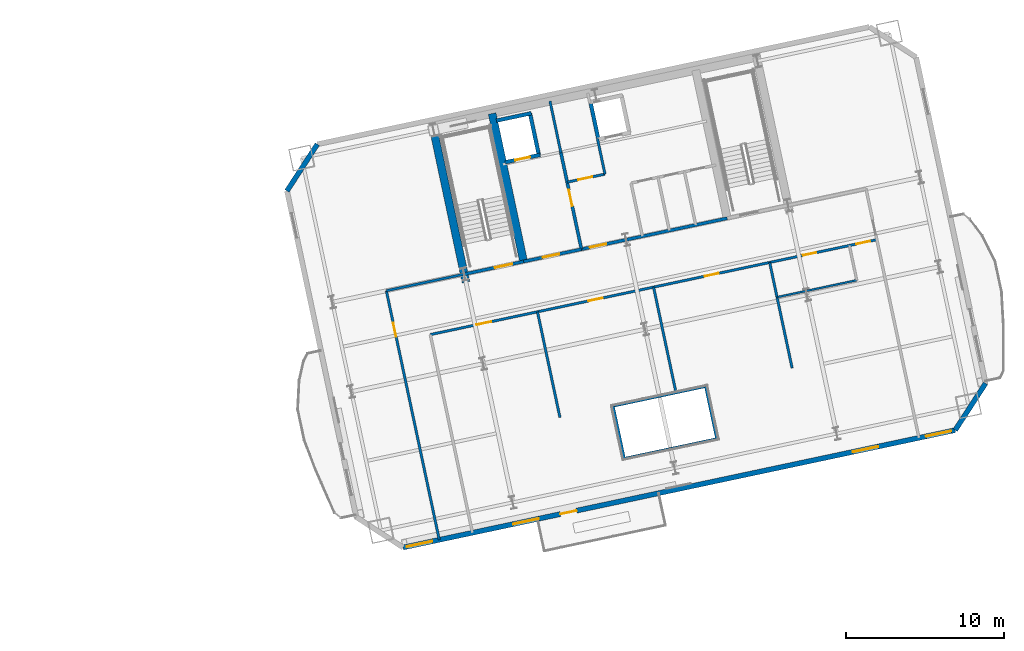
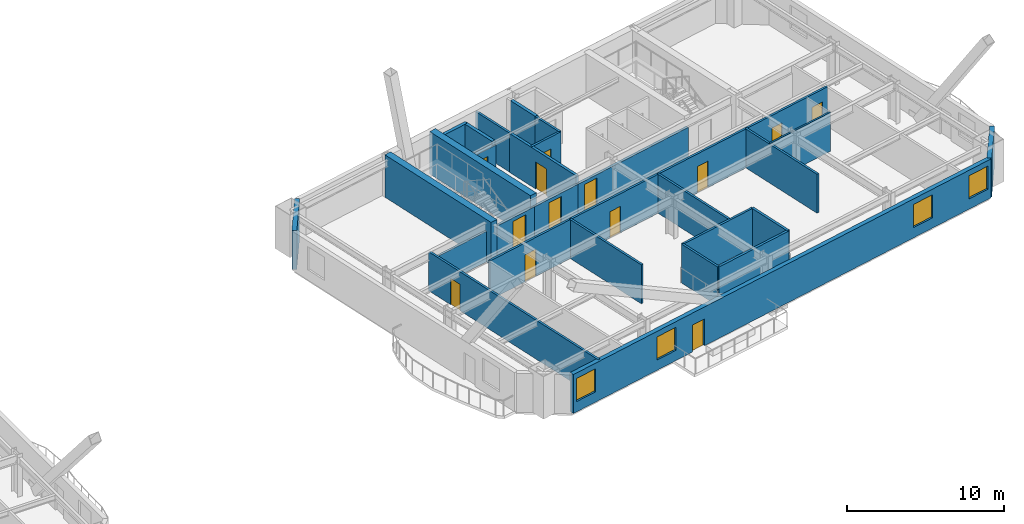
# One storey, part 8 of 15: 27 walls, 13 doors, 4 windows, 17 openings.
"""IFC4 building model written with IfcOpenShell, lengths in metres."""

from ifc_helpers import new_model, si_unit, direction, frame, frame_2d, origin, place, context, subcontext, project, spatial, rectangle, extrude, material, layer, layer_set, type_object, element, fill, save


model = new_model("IFC4")

# Units and contexts
model_context = context("Model", 3, precision=1e-05, world=origin(), true_north=direction((0.0, 1.0)))
body_context = subcontext(model_context, "Body", "Model", "MODEL_VIEW")
ifc_project = project(units=[si_unit("LENGTHUNIT", "METRE"), si_unit("AREAUNIT", "SQUARE_METRE"), si_unit("VOLUMEUNIT", "CUBIC_METRE"), si_unit("PLANEANGLEUNIT", "RADIAN"), si_unit("MASSUNIT", "GRAM", prefix="KILO")], contexts=[model_context])

# Site, building, storey
site_placement = place(None, origin())
site = spatial("IfcSite", under=ifc_project, at=site_placement, CompositionType="ELEMENT")
building_placement = place(site_placement, origin())
building = spatial("IfcBuilding", under=site, at=building_placement, Name="Haevon Station Towers", CompositionType="ELEMENT")
storey_placement = place(building_placement, frame((0.0, 0.0, 103.199951171875)))
storey = spatial("IfcBuildingStorey", under=building, at=storey_placement, Name="L27", CompositionType="ELEMENT", Elevation=103.199951171875)

# Walls
ifc_material_1 = material(Name="Gypsum board on steel stud", Category="steel")
ifc_layer_1 = layer(ifc_material_1, 0.179931640625)
ifc_layer_set_1 = layer_set([ifc_layer_1], Name="Gypsum board on steel stud")
wall_type_1 = type_object("IfcWallType", Name="WL-ACU180", PredefinedType="PARTITIONING", material=ifc_layer_set_1)
wall_1_placement = place(storey_placement, frame((108.90576171875, 25.747802734375, 0.0), z_axis=(0.0, 0.0, 1.0), x_axis=(0.978144681088, 0.207925426197, 0.0)))
element("IfcWall", 1, at=wall_1_placement, inside=storey, type_object=wall_type_1, Name="WL-T2PT-L27-06", PredefinedType="PARTITIONING", context=body_context, shape_type="SweptSolid", body=[
    extrude(rectangle(XDim=6.0, YDim=0.179931640625, at=frame_2d((3.0, 0.0))), origin(), (0.0, 0.0, 1.0), 3.030029296875),
])
wall_2_placement = place(storey_placement, frame((114.774658203125, 26.995361328125, 0.0), z_axis=(0.0, 0.0, 1.0), x_axis=(-0.207949787024, 0.97813950236, 0.0)))
element("IfcWall", 2, at=wall_2_placement, inside=storey, type_object=wall_type_1, Name="WL-T2PT-L27-09", PredefinedType="PARTITIONING", context=body_context, shape_type="SweptSolid", body=[
    extrude(rectangle(XDim=3.39990234375, YDim=0.179931640625, at=frame_2d((1.699951171875, 0.0))), origin(), (0.0, 0.0, 1.0), 3.030029296875),
])

# Wall, opening, door
ifc_layer_2 = layer(ifc_material_1, 0.199951171875)
ifc_layer_set_2 = layer_set([ifc_layer_2], Name="Gypsum board on steel stud")
wall_type_2 = type_object("IfcWallType", Name="WL-COR200", PredefinedType="PARTITIONING", material=ifc_layer_set_2)
wall_3_placement = place(storey_placement, frame((98.75244140625, 37.4423828125, 0.0), z_axis=(0.0, 0.0, 1.0), x_axis=(0.978143537786, 0.207930804564, 0.0)))
wall_3 = element("IfcWall", 3, at=wall_3_placement, inside=storey, type_object=wall_type_2, Name="WL-ST-ST3-L27", PredefinedType="PARTITIONING", context=body_context, shape_type="SweptSolid", body=[
    extrude(rectangle(XDim=3.85009765625, YDim=0.199951171875, at=frame_2d((1.925048828125, 0.0))), origin(), (0.0, 0.0, 1.0), 2.380126953125),
])
opening_1_placement = place(wall_3_placement, frame((2.0, 0.0, 0.0)))
opening_1 = element("IfcOpeningElement", 4, at=opening_1_placement, cuts=wall_3, Name="Opening DR-ST-ST3-L27", PredefinedType="OPENING", context=body_context, shape_type="SweptSolid", body=[
    extrude(rectangle(XDim=1.1201171875, YDim=2.10009765625, at=frame_2d((0.56005859375, 1.050048828125))), frame((0.0, 0.10986328125, 0.0), z_axis=(0.0, -1.0, 0.0), x_axis=(1.0, 0.0, 0.0)), (0.0, 0.0, 1.0), 0.219970703125),
])
ifc_material_2 = material(Name="Engineered oak timber", Category="wood")
door_type_1 = type_object("IfcDoorType", Name="DR-ST-1120", OperationType="NOTDEFINED", PredefinedType="DOOR", material=ifc_material_2)
door_1_placement = place(opening_1_placement, origin())
door_1 = element("IfcDoor", 5, at=door_1_placement, inside=storey, type_object=door_type_1, Name="L27 Escape Stair ST3 Fire Door", OperationType="SINGLE_SWING_RIGHT", OverallHeight=2.10009765625, OverallWidth=1.1201171875, PredefinedType="DOOR", context=body_context, shape_type="SweptSolid", body=[
    extrude(rectangle(XDim=1.1201171875, YDim=2.10009765625, at=frame_2d((0.56005859375, 1.050048828125))), frame((0.0, 0.02490234375, 0.0), z_axis=(0.0, -1.0, 0.0), x_axis=(1.0, 0.0, 0.0)), (0.0, 0.0, 1.0), 0.050048828125),
])
fill(opening_1, door_1)

wall_4_placement = place(storey_placement, frame((106.186279296875, 39.0224609375, 0.0), z_axis=(0.0, 0.0, 1.0), x_axis=(-0.207916691923, 0.978146537703, 0.0)))
wall_4 = element("IfcWall", 6, at=wall_4_placement, inside=storey, type_object=wall_type_2, Name="WL-T2FFL-L27-E", PredefinedType="PARTITIONING", context=body_context, shape_type="SweptSolid", body=[
    extrude(rectangle(XDim=6.35009765625, YDim=0.199951171875, at=frame_2d((3.175048828125, 0.0))), origin(), (0.0, 0.0, 1.0), 3.030029296875),
])
opening_2_placement = place(wall_4_placement, frame((2.800048828125, 0.0, 0.0)))
opening_2 = element("IfcOpeningElement", 7, at=opening_2_placement, cuts=wall_4, Name="Opening DR-T2FFL-L27-E", PredefinedType="OPENING", context=body_context, shape_type="SweptSolid", body=[
    extrude(rectangle(XDim=1.050048828125, YDim=2.10009765625, at=frame_2d((0.52490234375, 1.050048828125))), frame((0.0, 0.10986328125, 0.0), z_axis=(0.0, -1.0, 0.0), x_axis=(1.0, 0.0, 0.0)), (0.0, 0.0, 1.0), 0.219970703125),
])
door_type_2 = type_object("IfcDoorType", Name="DR-FD60-1050", OperationType="NOTDEFINED", PredefinedType="DOOR", material=ifc_material_2)
door_2_placement = place(opening_2_placement, origin())
door_2 = element("IfcDoor", 8, at=door_2_placement, inside=storey, type_object=door_type_2, Name="L27 Tower 2 Firefighting Lift Lobby Door E", OperationType="SINGLE_SWING_RIGHT", OverallHeight=2.10009765625, OverallWidth=1.050048828125, PredefinedType="DOOR", context=body_context, shape_type="SweptSolid", body=[
    extrude(rectangle(XDim=1.050048828125, YDim=2.10009765625, at=frame_2d((0.52490234375, 1.050048828125))), frame((0.0, 0.02490234375, 0.0), z_axis=(0.0, -1.0, 0.0), x_axis=(1.0, 0.0, 0.0)), (0.0, 0.0, 1.0), 0.050048828125),
])
fill(opening_2, door_2)

wall_5_placement = place(storey_placement, frame((102.518310546875, 38.242919921875, 0.0), z_axis=(0.0, 0.0, 1.0), x_axis=(0.978153555683, 0.20788367301, 0.0)))
wall_5 = element("IfcWall", 9, at=wall_5_placement, inside=storey, type_object=wall_type_2, Name="WL-T2FFL-L27-S", PredefinedType="PARTITIONING", context=body_context, shape_type="SweptSolid", body=[
    extrude(rectangle(XDim=3.75, YDim=0.199951171875, at=frame_2d((1.875, 0.0))), origin(), (0.0, 0.0, 1.0), 2.380126953125),
])
opening_3_placement = place(wall_5_placement, frame((1.25, 0.0, 0.0)))
opening_3 = element("IfcOpeningElement", 10, at=opening_3_placement, cuts=wall_5, Name="Opening DR-T2FFL-L27-S", PredefinedType="OPENING", context=body_context, shape_type="SweptSolid", body=[
    extrude(rectangle(XDim=1.050048828125, YDim=2.10009765625, at=frame_2d((0.52490234375, 1.050048828125))), frame((0.0, 0.10986328125, 0.0), z_axis=(0.0, -1.0, 0.0), x_axis=(1.0, 0.0, 0.0)), (0.0, 0.0, 1.0), 0.219970703125),
])
door_3_placement = place(opening_3_placement, origin())
door_3 = element("IfcDoor", 11, at=door_3_placement, inside=storey, type_object=door_type_2, Name="L27 Tower 2 Firefighting Lift Lobby Door S", OperationType="SINGLE_SWING_LEFT", OverallHeight=2.10009765625, OverallWidth=1.050048828125, PredefinedType="DOOR", context=body_context, shape_type="SweptSolid", body=[
    extrude(rectangle(XDim=1.050048828125, YDim=2.10009765625, at=frame_2d((0.52490234375, 1.050048828125))), frame((0.0, 0.02490234375, 0.0), z_axis=(0.0, -1.0, 0.0), x_axis=(1.0, 0.0, 0.0)), (0.0, 0.0, 1.0), 0.050048828125),
])
fill(opening_3, door_3)

wall_6_placement = place(storey_placement, frame((106.186279296875, 39.0224609375, 0.0), z_axis=(0.0, 0.0, 1.0), x_axis=(0.978145519981, 0.20792147975, 0.0)))
wall_6 = element("IfcWall", 12, at=wall_6_placement, inside=storey, type_object=wall_type_2, Name="WL-T2CLB-L27", PredefinedType="PARTITIONING", context=body_context, shape_type="SweptSolid", body=[
    extrude(rectangle(XDim=9.449951171875, YDim=0.199951171875, at=frame_2d((4.72509765625, 0.0))), origin(), (0.0, 0.0, 1.0), 2.380126953125),
])
opening_4_placement = place(wall_6_placement, frame((0.550048828125, 0.0, 0.0)))
opening_4 = element("IfcOpeningElement", 13, at=opening_4_placement, cuts=wall_6, Name="Opening DR-T2CLB-L27-1", PredefinedType="OPENING", context=body_context, shape_type="SweptSolid", body=[
    extrude(rectangle(XDim=1.050048828125, YDim=2.10009765625, at=frame_2d((0.52490234375, 1.050048828125))), frame((0.0, 0.10986328125, 0.0), z_axis=(0.0, -1.0, 0.0), x_axis=(1.0, 0.0, 0.0)), (0.0, 0.0, 1.0), 0.219970703125),
])
door_4_placement = place(opening_4_placement, origin())
door_4 = element("IfcDoor", 14, at=door_4_placement, inside=storey, type_object=door_type_2, Name="L27 Tower 2 Core Lift Lobby Door 1", OperationType="SINGLE_SWING_RIGHT", OverallHeight=2.10009765625, OverallWidth=1.050048828125, PredefinedType="DOOR", context=body_context, shape_type="SweptSolid", body=[
    extrude(rectangle(XDim=1.050048828125, YDim=2.10009765625, at=frame_2d((0.52490234375, 1.050048828125))), frame((0.0, 0.02490234375, 0.0), z_axis=(0.0, -1.0, 0.0), x_axis=(1.0, 0.0, 0.0)), (0.0, 0.0, 1.0), 0.050048828125),
])
fill(opening_4, door_4)

# Walls
ifc_material_3 = material(Name="Concrete C60/75", Category="concrete")
ifc_layer_3 = layer(ifc_material_3, 0.5)
ifc_layer_set_3 = layer_set([ifc_layer_3], Name="Concrete C60/75")
wall_type_3 = type_object("IfcWallType", Name="WL-CR500", PredefinedType="SHEAR", material=ifc_layer_set_3)
wall_7_placement = place(storey_placement, frame((98.8603515625, 36.933837890625, 0.0), z_axis=(0.0, 0.0, 1.0), x_axis=(-0.20790924889, 0.978148119778, 0.0)))
element("IfcWall", 15, at=wall_7_placement, inside=storey, type_object=wall_type_3, Name="WL-T2CR-L27-W", PredefinedType="SHEAR", context=body_context, shape_type="SweptSolid", body=[
    extrude(rectangle(XDim=10.119873046875, YDim=0.5, at=frame_2d((5.06005859375, 0.0))), origin(), (0.0, 0.0, 1.0), 3.300048828125),
])
wall_8_placement = place(storey_placement, frame((102.518310546875, 38.242919921875, 0.0), z_axis=(0.0, 0.0, 1.0), x_axis=(-0.207927495108, 0.978144241295, 0.0)))
element("IfcWall", 16, at=wall_8_placement, inside=storey, type_object=wall_type_3, Name="WL-T2CR-L27-M1", PredefinedType="SHEAR", context=body_context, shape_type="SweptSolid", body=[
    extrude(rectangle(XDim=9.599853515625, YDim=0.5, at=frame_2d((4.7998046875, 0.0))), origin(), (0.0, 0.0, 1.0), 3.300048828125),
])

# Wall, openings, door, windows
ifc_material_4 = material(Name="Precast concrete C45/55", Category="concrete")
ifc_layer_4 = layer(ifc_material_4, 0.320068359375)
ifc_layer_set_4 = layer_set([ifc_layer_4], Name="Precast concrete C45/55")
wall_type_4 = type_object("IfcWallType", Name="WL-EXT-PIER320", PredefinedType="SOLIDWALL", material=ifc_layer_set_4)
wall_9_placement = place(storey_placement, frame((129.889404296875, 27.550048828125, 0.0), z_axis=(0.0, 0.0, 1.0), x_axis=(-0.978146786281, -0.207915522479, 0.0)))
wall_9 = element("IfcWall", 17, at=wall_9_placement, inside=storey, type_object=wall_type_4, Name="WL-T2-L27-S", PredefinedType="SOLIDWALL", context=body_context, shape_type="SweptSolid", body=[
    extrude(rectangle(XDim=35.7998046875, YDim=0.320068359375, at=frame_2d((17.89990234375, 0.0))), origin(), (0.0, 0.0, 1.0), 3.030029296875),
])
opening_5_placement = place(wall_9_placement, frame((24.552001953125, 0.0, 0.0)))
opening_5 = element("IfcOpeningElement", 18, at=opening_5_placement, cuts=wall_9, Name="Opening DR-T2-PBAND-L27-1", PredefinedType="OPENING", context=body_context, shape_type="SweptSolid", body=[
    extrude(rectangle(XDim=1.050048828125, YDim=2.10009765625, at=frame_2d((0.52490234375, 1.050048828125))), frame((0.0, 0.169921875, 0.0), z_axis=(0.0, -1.0, 0.0), x_axis=(1.0, 0.0, 0.0)), (0.0, 0.0, 1.0), 0.340087890625),
])
opening_6_placement = place(wall_9_placement, frame((33.89990234375, 0.0, 0.800048828125)))
opening_6 = element("IfcOpeningElement", 19, at=opening_6_placement, cuts=wall_9, Name="Opening WN-P165", PredefinedType="OPENING", context=body_context, shape_type="SweptSolid", body=[
    extrude(rectangle(XDim=1.64990234375, YDim=1.800048828125, at=frame_2d((0.824951171875, 0.89990234375))), frame((0.0, 0.169921875, 0.0), z_axis=(0.0, -1.0, 0.0), x_axis=(1.0, 0.0, 0.0)), (0.0, 0.0, 1.0), 0.340087890625),
])
opening_7_placement = place(wall_9_placement, frame((0.25, 0.0, 0.800048828125)))
opening_7 = element("IfcOpeningElement", 20, at=opening_7_placement, cuts=wall_9, Name="Opening WN-P165", PredefinedType="OPENING", context=body_context, shape_type="SweptSolid", body=[
    extrude(rectangle(XDim=1.64990234375, YDim=1.800048828125, at=frame_2d((0.824951171875, 0.89990234375))), frame((0.0, 0.169921875, 0.0), z_axis=(0.0, -1.0, 0.0), x_axis=(1.0, 0.0, 0.0)), (0.0, 0.0, 1.0), 0.340087890625),
])
opening_8_placement = place(wall_9_placement, frame((27.0009765625, 0.0, 0.800048828125)))
opening_8 = element("IfcOpeningElement", 21, at=opening_8_placement, cuts=wall_9, Name="Opening WN-P165", PredefinedType="OPENING", context=body_context, shape_type="SweptSolid", body=[
    extrude(rectangle(XDim=1.64990234375, YDim=1.800048828125, at=frame_2d((0.824951171875, 0.89990234375))), frame((0.0, 0.169921875, 0.0), z_axis=(0.0, -1.0, 0.0), x_axis=(1.0, 0.0, 0.0)), (0.0, 0.0, 1.0), 0.340087890625),
])
opening_9_placement = place(wall_9_placement, frame((4.9990234375, 0.0, 0.800048828125)))
opening_9 = element("IfcOpeningElement", 22, at=opening_9_placement, cuts=wall_9, Name="Opening WN-P165", PredefinedType="OPENING", context=body_context, shape_type="SweptSolid", body=[
    extrude(rectangle(XDim=1.64990234375, YDim=1.800048828125, at=frame_2d((0.824951171875, 0.89990234375))), frame((0.0, 0.169921875, 0.0), z_axis=(0.0, -1.0, 0.0), x_axis=(1.0, 0.0, 0.0)), (0.0, 0.0, 1.0), 0.340087890625),
])
ifc_material_5 = material(Name="Thermally broken anodised aluminium and laminated safety glass", Category="aluminium")
door_type_3 = type_object("IfcDoorType", Name="DR-BALC-1050", OperationType="NOTDEFINED", PredefinedType="DOOR", material=ifc_material_5)
door_5_placement = place(opening_5_placement, origin())
door_5 = element("IfcDoor", 23, at=door_5_placement, inside=storey, type_object=door_type_3, Name="Tower 2 L27 Balcony Terrace Door", OperationType="SINGLE_SWING_LEFT", OverallHeight=2.10009765625, OverallWidth=1.050048828125, PredefinedType="DOOR", context=body_context, shape_type="SweptSolid", body=[
    extrude(rectangle(XDim=1.050048828125, YDim=2.10009765625, at=frame_2d((0.52490234375, 1.050048828125))), frame((0.0, 0.02490234375, 0.0), z_axis=(0.0, -1.0, 0.0), x_axis=(1.0, 0.0, 0.0)), (0.0, 0.0, 1.0), 0.050048828125),
])
fill(opening_5, door_5)
ifc_material_6 = material(Name="Low-E triple glazing in thermally broken aluminium", Category="aluminium")
window_type = type_object("IfcWindowType", Name="WN-P165", PartitioningType="SINGLE_PANEL", PredefinedType="WINDOW", material=ifc_material_6)
window_1_placement = place(opening_6_placement, origin())
window_1 = element("IfcWindow", 24, at=window_1_placement, inside=storey, type_object=window_type, Name="WN-T2-L27-S01", OverallHeight=1.800048828125, OverallWidth=1.64990234375, PartitioningType="SINGLE_PANEL", PredefinedType="WINDOW", context=body_context, shape_type="SweptSolid", body=[
    extrude(rectangle(XDim=1.64990234375, YDim=1.800048828125, at=frame_2d((0.824951171875, 0.89990234375))), frame((0.0, 0.030029296875, 0.0), z_axis=(0.0, -1.0, 0.0), x_axis=(1.0, 0.0, 0.0)), (0.0, 0.0, 1.0), 0.06005859375),
])
fill(opening_6, window_1)
window_2_placement = place(opening_7_placement, origin())
window_2 = element("IfcWindow", 25, at=window_2_placement, inside=storey, type_object=window_type, Name="WN-T2-L27-S02", OverallHeight=1.800048828125, OverallWidth=1.64990234375, PartitioningType="SINGLE_PANEL", PredefinedType="WINDOW", context=body_context, shape_type="SweptSolid", body=[
    extrude(rectangle(XDim=1.64990234375, YDim=1.800048828125, at=frame_2d((0.824951171875, 0.89990234375))), frame((0.0, 0.030029296875, 0.0), z_axis=(0.0, -1.0, 0.0), x_axis=(1.0, 0.0, 0.0)), (0.0, 0.0, 1.0), 0.06005859375),
])
fill(opening_7, window_2)
window_3_placement = place(opening_8_placement, origin())
window_3 = element("IfcWindow", 26, at=window_3_placement, inside=storey, type_object=window_type, Name="WN-T2-L27-S03", OverallHeight=1.800048828125, OverallWidth=1.64990234375, PartitioningType="SINGLE_PANEL", PredefinedType="WINDOW", context=body_context, shape_type="SweptSolid", body=[
    extrude(rectangle(XDim=1.64990234375, YDim=1.800048828125, at=frame_2d((0.824951171875, 0.89990234375))), frame((0.0, 0.030029296875, 0.0), z_axis=(0.0, -1.0, 0.0), x_axis=(1.0, 0.0, 0.0)), (0.0, 0.0, 1.0), 0.06005859375),
])
fill(opening_8, window_3)
window_4_placement = place(opening_9_placement, origin())
window_4 = element("IfcWindow", 27, at=window_4_placement, inside=storey, type_object=window_type, Name="WN-T2-L27-S04", OverallHeight=1.800048828125, OverallWidth=1.64990234375, PartitioningType="SINGLE_PANEL", PredefinedType="WINDOW", context=body_context, shape_type="SweptSolid", body=[
    extrude(rectangle(XDim=1.64990234375, YDim=1.800048828125, at=frame_2d((0.824951171875, 0.89990234375))), frame((0.0, 0.030029296875, 0.0), z_axis=(0.0, -1.0, 0.0), x_axis=(1.0, 0.0, 0.0)), (0.0, 0.0, 1.0), 0.06005859375),
])
fill(opening_9, window_4)

# Walls
for number, where, z_axis, x_axis, name in (
    (28, (87.50927734375, 42.72021484375, 0.0), (0.0, 0.0, 1.0), (0.544684921471, 0.838640767148, 0.0), "WL-T2-L27-NWC"),
    (29, (131.815185546875, 30.51513671875, 0.0), (0.0, 0.0, 1.0), (-0.544684921471, -0.838640767148, 0.0), "WL-T2-L27-SEC"),
):
    element("IfcWall", number, at=place(storey_placement, frame(where, z_axis=z_axis, x_axis=x_axis)), inside=storey, type_object=wall_type_4, Name=name, PredefinedType="SOLIDWALL", context=body_context, shape_type="SweptSolid", body=[
        extrude(rectangle(XDim=3.53564453125, YDim=0.320068359375, at=frame_2d((1.767822265625, 0.0))), origin(), (0.0, 0.0, 1.0), 3.030029296875),
    ])
ifc_layer_5 = layer(ifc_material_1, 0.125)
ifc_layer_set_5 = layer_set([ifc_layer_5], Name="Gypsum board on steel stud")
wall_type_5 = type_object("IfcWallType", Name="WL-PRT125", PredefinedType="PARTITIONING", material=ifc_layer_set_5)
wall_10_placement = place(storey_placement, frame((118.5908203125, 35.985107421875, 0.0), z_axis=(0.0, 0.0, 1.0), x_axis=(0.97813987762, 0.207948021891, 0.0)))
element("IfcWall", 30, at=wall_10_placement, inside=storey, type_object=wall_type_5, Name="WL-T2PT-L27-15", PredefinedType="PARTITIONING", context=body_context, shape_type="SweptSolid", body=[
    extrude(rectangle(XDim=5.168212890625, YDim=0.125, at=frame_2d((2.583984375, 0.0))), origin(), (0.0, 0.0, 1.0), 3.030029296875),
])
ifc_layer_6 = layer(ifc_material_1, 0.159912109375)
ifc_layer_set_6 = layer_set([ifc_layer_6], Name="Gypsum board on steel stud")
wall_type_6 = type_object("IfcWallType", Name="WL-PRT160", PredefinedType="PARTITIONING", material=ifc_layer_set_6)
wall_11_placement = place(storey_placement, frame((104.88671875, 45.135986328125, 0.0), z_axis=(0.0, 0.0, 1.0), x_axis=(-0.207846553267, 0.978161443881, 0.0)))
element("IfcWall", 31, at=wall_11_placement, inside=storey, type_object=wall_type_6, Name="WL-T2CW-L27-01", PredefinedType="PARTITIONING", context=body_context, shape_type="SweptSolid", body=[
    extrude(rectangle(XDim=3.35009765625, YDim=0.159912109375, at=frame_2d((1.675048828125, 0.0))), origin(), (0.0, 0.0, 1.0), 3.030029296875),
])

# Wall, opening, door
wall_12_placement = place(storey_placement, frame((105.28173828125, 43.277587890625, 0.0), z_axis=(0.0, 0.0, 1.0), x_axis=(0.978156824814, 0.207868290196, 0.0)))
wall_12 = element("IfcWall", 32, at=wall_12_placement, inside=storey, type_object=wall_type_6, Name="WL-T2CW-L27-02", PredefinedType="PARTITIONING", context=body_context, shape_type="SweptSolid", body=[
    extrude(rectangle(XDim=2.449951171875, YDim=0.159912109375, at=frame_2d((1.22509765625, 0.0))), origin(), (0.0, 0.0, 1.0), 3.030029296875),
])
opening_10_placement = place(wall_12_placement, frame((0.719970703125, 0.0, 0.0)))
opening_10 = element("IfcOpeningElement", 33, at=opening_10_placement, cuts=wall_12, Name="Opening DR-WL-T2CW-L27-02-1", PredefinedType="OPENING", context=body_context, shape_type="SweptSolid", body=[
    extrude(rectangle(XDim=0.89990234375, YDim=2.10009765625, at=frame_2d((0.449951171875, 1.050048828125))), frame((0.0, 0.08984375, 0.0), z_axis=(0.0, -1.0, 0.0), x_axis=(1.0, 0.0, 0.0)), (0.0, 0.0, 1.0), 0.179931640625),
])
door_type_4 = type_object("IfcDoorType", Name="DR-FD60-900", OperationType="NOTDEFINED", PredefinedType="DOOR", material=ifc_material_2)
door_6_placement = place(opening_10_placement, origin())
door_6 = element("IfcDoor", 34, at=door_6_placement, inside=storey, type_object=door_type_4, Name="L27 Tower 2 Core Room Door 2-1", OperationType="SINGLE_SWING_RIGHT", OverallHeight=2.10009765625, OverallWidth=0.89990234375, PredefinedType="DOOR", context=body_context, shape_type="SweptSolid", body=[
    extrude(rectangle(XDim=0.89990234375, YDim=2.10009765625, at=frame_2d((0.449951171875, 1.050048828125))), frame((0.0, 0.02490234375, 0.0), z_axis=(0.0, -1.0, 0.0), x_axis=(1.0, 0.0, 0.0)), (0.0, 0.0, 1.0), 0.050048828125),
])
fill(opening_10, door_6)

# Walls
wall_13_placement = place(storey_placement, frame((107.67822265625, 43.786865234375, 0.0), z_axis=(0.0, 0.0, 1.0), x_axis=(-0.207839712757, 0.978162897375, 0.0)))
element("IfcWall", 35, at=wall_13_placement, inside=storey, type_object=wall_type_6, Name="WL-T2CW-L27-03", PredefinedType="PARTITIONING", context=body_context, shape_type="SweptSolid", body=[
    extrude(rectangle(XDim=2.300048828125, YDim=0.159912109375, at=frame_2d((1.14990234375, 0.0))), origin(), (0.0, 0.0, 1.0), 3.030029296875),
])
wall_14_placement = place(storey_placement, frame((93.812744140625, 36.392578125, 0.0), z_axis=(0.0, 0.0, 1.0), x_axis=(0.978154058851, 0.207881305445, 0.0)))
element("IfcWall", 36, at=wall_14_placement, inside=storey, type_object=wall_type_6, Name="WL-T2PT-L27-02", PredefinedType="PARTITIONING", context=body_context, shape_type="SweptSolid", body=[
    extrude(rectangle(XDim=5.050048828125, YDim=0.159912109375, at=frame_2d((2.52490234375, 0.0))), origin(), (0.0, 0.0, 1.0), 2.380126953125),
])

# Wall, opening, door
wall_15_placement = place(storey_placement, frame((97.17041015625, 20.595458984375, 0.0), z_axis=(0.0, 0.0, 1.0), x_axis=(-0.20790485933, 0.978149052786, 0.0)))
wall_15 = element("IfcWall", 37, at=wall_15_placement, inside=storey, type_object=wall_type_6, Name="WL-T2PT-L27-04", PredefinedType="PARTITIONING", context=body_context, shape_type="SweptSolid", body=[
    extrude(rectangle(XDim=16.14990234375, YDim=0.159912109375, at=frame_2d((8.074951171875, 0.0))), origin(), (0.0, 0.0, 1.0), 3.030029296875),
])
opening_11_placement = place(wall_15_placement, frame((13.169921875, 0.0, 0.0)))
opening_11 = element("IfcOpeningElement", 38, at=opening_11_placement, cuts=wall_15, Name="Opening DR-WL-T2PT-L27-04-01", PredefinedType="OPENING", context=body_context, shape_type="SweptSolid", body=[
    extrude(rectangle(XDim=0.89990234375, YDim=2.050048828125, at=frame_2d((0.449951171875, 1.02490234375))), frame((0.0, 0.08984375, 0.0), z_axis=(0.0, -1.0, 0.0), x_axis=(1.0, 0.0, 0.0)), (0.0, 0.0, 1.0), 0.179931640625),
])
door_type_5 = type_object("IfcDoorType", Name="DR-INT-900", OperationType="NOTDEFINED", PredefinedType="DOOR", material=ifc_material_2)
door_7_placement = place(opening_11_placement, origin())
door_7 = element("IfcDoor", 39, at=door_7_placement, inside=storey, type_object=door_type_5, Name="L27 Tower 2 Room Door 4-1", OperationType="SINGLE_SWING_RIGHT", OverallHeight=2.050048828125, OverallWidth=0.89990234375, PredefinedType="DOOR", context=body_context, shape_type="SweptSolid", body=[
    extrude(rectangle(XDim=0.89990234375, YDim=2.050048828125, at=frame_2d((0.449951171875, 1.02490234375))), frame((0.0, 0.02490234375, 0.0), z_axis=(0.0, -1.0, 0.0), x_axis=(1.0, 0.0, 0.0)), (0.0, 0.0, 1.0), 0.050048828125),
])
fill(opening_11, door_7)

# Walls
wall_16_placement = place(storey_placement, frame((108.19873046875, 29.073486328125, 0.0), z_axis=(0.0, 0.0, 1.0), x_axis=(0.978144681088, 0.207925426197, 0.0)))
element("IfcWall", 40, at=wall_16_placement, inside=storey, type_object=wall_type_6, Name="WL-T2PT-L27-07", PredefinedType="PARTITIONING", context=body_context, shape_type="SweptSolid", body=[
    extrude(rectangle(XDim=6.0, YDim=0.159912109375, at=frame_2d((3.0, 0.0))), origin(), (0.0, 0.0, 1.0), 3.030029296875),
])
wall_17_placement = place(storey_placement, frame((108.90576171875, 25.747802734375, 0.0), z_axis=(0.0, 0.0, 1.0), x_axis=(-0.207949787024, 0.97813950236, 0.0)))
element("IfcWall", 41, at=wall_17_placement, inside=storey, type_object=wall_type_6, Name="WL-T2PT-L27-08", PredefinedType="PARTITIONING", context=body_context, shape_type="SweptSolid", body=[
    extrude(rectangle(XDim=3.39990234375, YDim=0.159912109375, at=frame_2d((1.699951171875, 0.0))), origin(), (0.0, 0.0, 1.0), 3.030029296875),
])
for number, where, z_axis, x_axis, name in (
    (42, (104.822265625, 28.35595703125, 0.0), (0.0, 0.0, 1.0), (-0.207932073521, 0.978143268035, 0.0), "WL-T2PT-L27-10"),
    (43, (112.184814453125, 29.9208984375, 0.0), (0.0, 0.0, 1.0), (-0.207932073521, 0.978143268035, 0.0), "WL-T2PT-L27-11"),
    (44, (119.547119140625, 31.48583984375, 0.0), (0.0, 0.0, 1.0), (-0.207897972701, 0.978150516509, 0.0), "WL-T2PT-L27-13"),
):
    element("IfcWall", number, at=place(storey_placement, frame(where, z_axis=z_axis, x_axis=x_axis)), inside=storey, type_object=wall_type_6, Name=name, PredefinedType="PARTITIONING", context=body_context, shape_type="SweptSolid", body=[
        extrude(rectangle(XDim=6.849853515625, YDim=0.159912109375, at=frame_2d((3.4248046875, 0.0))), origin(), (0.0, 0.0, 1.0), 3.030029296875),
    ])

# Wall, openings, doors
wall_18_placement = place(storey_placement, frame((96.601806640625, 33.611572265625, 0.0), z_axis=(0.0, 0.0, 1.0), x_axis=(0.978147618699, 0.207911606299, 0.0)))
wall_18 = element("IfcWall", 45, at=wall_18_placement, inside=storey, type_object=wall_type_6, Name="WL-T2PT-L27-17", PredefinedType="PARTITIONING", context=body_context, shape_type="SweptSolid", body=[
    extrude(rectangle(XDim=28.949951171875, YDim=0.159912109375, at=frame_2d((14.47509765625, 0.0))), origin(), (0.0, 0.0, 1.0), 3.030029296875),
])
opening_12_placement = place(wall_18_placement, frame((2.9990234375, 0.0, 0.0)))
opening_12 = element("IfcOpeningElement", 46, at=opening_12_placement, cuts=wall_18, Name="Opening DR-WL-T2PT-L27-17-01", PredefinedType="OPENING", context=body_context, shape_type="SweptSolid", body=[
    extrude(rectangle(XDim=0.949951171875, YDim=2.10009765625, at=frame_2d((0.47509765625, 1.050048828125))), frame((0.0, 0.08984375, 0.0), z_axis=(0.0, -1.0, 0.0), x_axis=(1.0, 0.0, 0.0)), (0.0, 0.0, 1.0), 0.179931640625),
])
opening_13_placement = place(wall_18_placement, frame((10.260986328125, 0.0, 0.0)))
opening_13 = element("IfcOpeningElement", 47, at=opening_13_placement, cuts=wall_18, Name="Opening DR-WL-T2PT-L27-17-02", PredefinedType="OPENING", context=body_context, shape_type="SweptSolid", body=[
    extrude(rectangle(XDim=0.89990234375, YDim=2.050048828125, at=frame_2d((0.449951171875, 1.02490234375))), frame((0.0, 0.08984375, 0.0), z_axis=(0.0, -1.0, 0.0), x_axis=(1.0, 0.0, 0.0)), (0.0, 0.0, 1.0), 0.179931640625),
])
opening_14_placement = place(wall_18_placement, frame((17.7880859375, 0.0, 0.0)))
opening_14 = element("IfcOpeningElement", 48, at=opening_14_placement, cuts=wall_18, Name="Opening DR-WL-T2PT-L27-17-03", PredefinedType="OPENING", context=body_context, shape_type="SweptSolid", body=[
    extrude(rectangle(XDim=0.89990234375, YDim=2.050048828125, at=frame_2d((0.449951171875, 1.02490234375))), frame((0.0, 0.08984375, 0.0), z_axis=(0.0, -1.0, 0.0), x_axis=(1.0, 0.0, 0.0)), (0.0, 0.0, 1.0), 0.179931640625),
])
opening_15_placement = place(wall_18_placement, frame((24.160888671875, 0.0, 0.0)))
opening_15 = element("IfcOpeningElement", 49, at=opening_15_placement, cuts=wall_18, Name="Opening DR-WL-T2PT-L27-17-04", PredefinedType="OPENING", context=body_context, shape_type="SweptSolid", body=[
    extrude(rectangle(XDim=0.85009765625, YDim=2.050048828125, at=frame_2d((0.425048828125, 1.02490234375))), frame((0.0, 0.08984375, 0.0), z_axis=(0.0, -1.0, 0.0), x_axis=(1.0, 0.0, 0.0)), (0.0, 0.0, 1.0), 0.179931640625),
])
opening_16_placement = place(wall_18_placement, frame((27.610107421875, 0.0, 0.0)))
opening_16 = element("IfcOpeningElement", 50, at=opening_16_placement, cuts=wall_18, Name="Opening DR-WL-T2PT-L27-17-05", PredefinedType="OPENING", context=body_context, shape_type="SweptSolid", body=[
    extrude(rectangle(XDim=0.89990234375, YDim=2.050048828125, at=frame_2d((0.449951171875, 1.02490234375))), frame((0.0, 0.08984375, 0.0), z_axis=(0.0, -1.0, 0.0), x_axis=(1.0, 0.0, 0.0)), (0.0, 0.0, 1.0), 0.179931640625),
])
door_type_6 = type_object("IfcDoorType", Name="DR-FD30-850", OperationType="NOTDEFINED", PredefinedType="DOOR", material=ifc_material_2)
door_8_placement = place(opening_15_placement, origin())
door_8 = element("IfcDoor", 51, at=door_8_placement, inside=storey, type_object=door_type_6, Name="L27 Tower 2 Room Door 17-4", OperationType="SINGLE_SWING_LEFT", OverallHeight=2.050048828125, OverallWidth=0.85009765625, PredefinedType="DOOR", context=body_context, shape_type="SweptSolid", body=[
    extrude(rectangle(XDim=0.85009765625, YDim=2.050048828125, at=frame_2d((0.425048828125, 1.02490234375))), frame((0.0, 0.02490234375, 0.0), z_axis=(0.0, -1.0, 0.0), x_axis=(1.0, 0.0, 0.0)), (0.0, 0.0, 1.0), 0.050048828125),
])
fill(opening_15, door_8)
door_type_7 = type_object("IfcDoorType", Name="DR-FD30-950", OperationType="NOTDEFINED", PredefinedType="DOOR", material=ifc_material_2)
door_9_placement = place(opening_12_placement, origin())
door_9 = element("IfcDoor", 52, at=door_9_placement, inside=storey, type_object=door_type_7, Name="L27 Tower 2 Room Door 17-1", OperationType="SINGLE_SWING_RIGHT", OverallHeight=2.10009765625, OverallWidth=0.949951171875, PredefinedType="DOOR", context=body_context, shape_type="SweptSolid", body=[
    extrude(rectangle(XDim=0.949951171875, YDim=2.10009765625, at=frame_2d((0.47509765625, 1.050048828125))), frame((0.0, 0.02490234375, 0.0), z_axis=(0.0, -1.0, 0.0), x_axis=(1.0, 0.0, 0.0)), (0.0, 0.0, 1.0), 0.050048828125),
])
fill(opening_12, door_9)
door_10_placement = place(opening_13_placement, origin())
door_10 = element("IfcDoor", 53, at=door_10_placement, inside=storey, type_object=door_type_5, Name="L27 Tower 2 Room Door 17-2", OperationType="SINGLE_SWING_LEFT", OverallHeight=2.050048828125, OverallWidth=0.89990234375, PredefinedType="DOOR", context=body_context, shape_type="SweptSolid", body=[
    extrude(rectangle(XDim=0.89990234375, YDim=2.050048828125, at=frame_2d((0.449951171875, 1.02490234375))), frame((0.0, 0.02490234375, 0.0), z_axis=(0.0, -1.0, 0.0), x_axis=(1.0, 0.0, 0.0)), (0.0, 0.0, 1.0), 0.050048828125),
])
fill(opening_13, door_10)
door_11_placement = place(opening_14_placement, origin())
door_11 = element("IfcDoor", 54, at=door_11_placement, inside=storey, type_object=door_type_5, Name="L27 Tower 2 Room Door 17-3", OperationType="SINGLE_SWING_RIGHT", OverallHeight=2.050048828125, OverallWidth=0.89990234375, PredefinedType="DOOR", context=body_context, shape_type="SweptSolid", body=[
    extrude(rectangle(XDim=0.89990234375, YDim=2.050048828125, at=frame_2d((0.449951171875, 1.02490234375))), frame((0.0, 0.02490234375, 0.0), z_axis=(0.0, -1.0, 0.0), x_axis=(1.0, 0.0, 0.0)), (0.0, 0.0, 1.0), 0.050048828125),
])
fill(opening_14, door_11)
door_12_placement = place(opening_16_placement, origin())
door_12 = element("IfcDoor", 55, at=door_12_placement, inside=storey, type_object=door_type_5, Name="L27 Tower 2 Room Door 17-5", OperationType="SINGLE_SWING_RIGHT", OverallHeight=2.050048828125, OverallWidth=0.89990234375, PredefinedType="DOOR", context=body_context, shape_type="SweptSolid", body=[
    extrude(rectangle(XDim=0.89990234375, YDim=2.050048828125, at=frame_2d((0.449951171875, 1.02490234375))), frame((0.0, 0.02490234375, 0.0), z_axis=(0.0, -1.0, 0.0), x_axis=(1.0, 0.0, 0.0)), (0.0, 0.0, 1.0), 0.050048828125),
])
fill(opening_16, door_12)

# Wall, opening, door
ifc_material_7 = material(Name="Concrete C40/50", Category="concrete")
ifc_layer_7 = layer(ifc_material_7, 0.239990234375)
ifc_layer_set_7 = layer_set([ifc_layer_7], Name="Concrete C40/50")
wall_type_7 = type_object("IfcWallType", Name="WL-SHF240", PredefinedType="PARTITIONING", material=ifc_layer_set_7)
wall_19_placement = place(storey_placement, frame((101.353759765625, 44.538330078125, 0.0), z_axis=(0.0, 0.0, 1.0), x_axis=(0.978141002414, 0.207942731049, 0.0)))
wall_19 = element("IfcWall", 56, at=wall_19_placement, inside=storey, type_object=wall_type_7, Name="WL-SHF-FL2-L27", PredefinedType="PARTITIONING", context=body_context, shape_type="SweptSolid", body=[
    extrude(rectangle(XDim=2.260009765625, YDim=0.239990234375, at=frame_2d((1.1298828125, 0.0))), origin(), (0.0, 0.0, 1.0), 2.72998046875),
])
opening_17_placement = place(wall_19_placement, frame((0.655029296875, 0.0, 0.0)))
opening_17 = element("IfcOpeningElement", 57, at=opening_17_placement, cuts=wall_19, Name="Opening LD-FL2-L27", PredefinedType="OPENING", context=body_context, shape_type="SweptSolid", body=[
    extrude(rectangle(XDim=0.949951171875, YDim=2.14990234375, at=frame_2d((0.47509765625, 1.074951171875))), frame((0.0, 0.1298828125, 0.0), z_axis=(0.0, -1.0, 0.0), x_axis=(1.0, 0.0, 0.0)), (0.0, 0.0, 1.0), 0.260009765625),
])
ifc_material_8 = material(Name="Stainless steel and rated core", Category="steel")
door_type_8 = type_object("IfcDoorType", Name="LD-FL950", OperationType="SLIDING_TO_LEFT", PredefinedType="DOOR", material=ifc_material_8)
door_13_placement = place(opening_17_placement, origin())
door_13 = element("IfcDoor", 58, at=door_13_placement, inside=storey, type_object=door_type_8, Name="L27 Lift FL2 Sliding Landing Door", OperationType="SLIDING_TO_LEFT", OverallHeight=2.14990234375, OverallWidth=0.949951171875, PredefinedType="DOOR", context=body_context, shape_type="SweptSolid", body=[
    extrude(rectangle(XDim=0.949951171875, YDim=2.14990234375, at=frame_2d((0.47509765625, 1.074951171875))), frame((0.0, 0.02490234375, 0.0), z_axis=(0.0, -1.0, 0.0), x_axis=(1.0, 0.0, 0.0)), (0.0, 0.0, 1.0), 0.050048828125),
])
fill(opening_17, door_13)

# Walls
wall_20_placement = place(storey_placement, frame((100.79248046875, 47.179443359375, 0.0), z_axis=(0.0, 0.0, 1.0), x_axis=(0.978162968872, 0.207839376268, 0.0)))
element("IfcWall", 59, at=wall_20_placement, inside=storey, type_object=wall_type_7, Name="WL-SHF-FL2-L27-N", PredefinedType="PARTITIONING", context=body_context, shape_type="SweptSolid", body=[
    extrude(rectangle(XDim=2.260009765625, YDim=0.239990234375, at=frame_2d((1.1298828125, 0.0))), origin(), (0.0, 0.0, 1.0), 3.030029296875),
])
wall_21_placement = place(storey_placement, frame((103.486328125, 44.99169921875, 0.0), z_axis=(0.0, 0.0, 1.0), x_axis=(-0.207978798957, 0.978133334052, 0.0)))
element("IfcWall", 60, at=wall_21_placement, inside=storey, type_object=wall_type_7, Name="WL-SHF-FL2-L27-E", PredefinedType="PARTITIONING", context=body_context, shape_type="SweptSolid", body=[
    extrude(rectangle(XDim=2.699951171875, YDim=0.239990234375, at=frame_2d((1.35009765625, 0.0))), origin(), (0.0, 0.0, 1.0), 3.030029296875),
])
wall_22_placement = place(storey_placement, frame((107.259521484375, 45.998046875, 0.0), z_axis=(0.0, 0.0, 1.0), x_axis=(-0.207917150959, 0.978146440129, 0.0)))
element("IfcWall", 61, at=wall_22_placement, inside=storey, type_object=wall_type_7, Name="WL-SHF-PL8-L27-W", PredefinedType="PARTITIONING", context=body_context, shape_type="SweptSolid", body=[
    extrude(rectangle(XDim=2.400146484375, YDim=0.239990234375, at=frame_2d((1.2001953125, 0.0))), origin(), (0.0, 0.0, 1.0), 3.030029296875),
])

save(model, "model.ifc")
